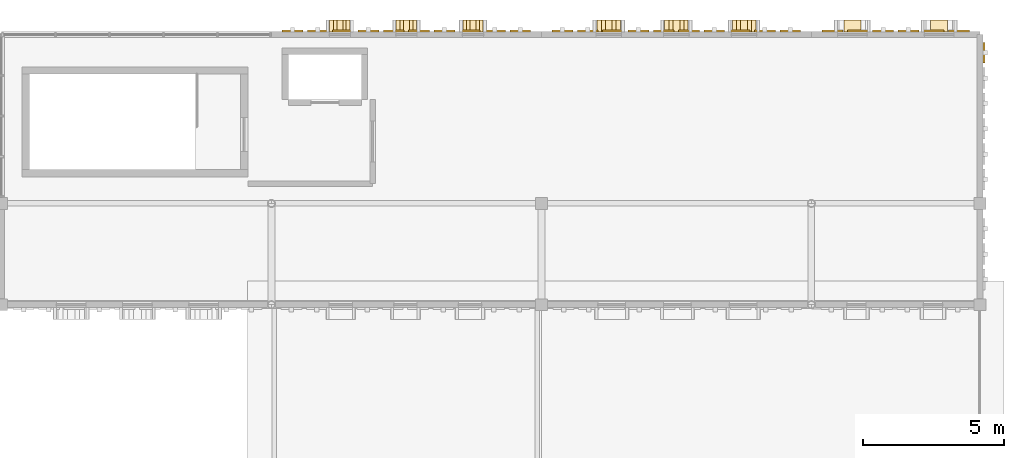
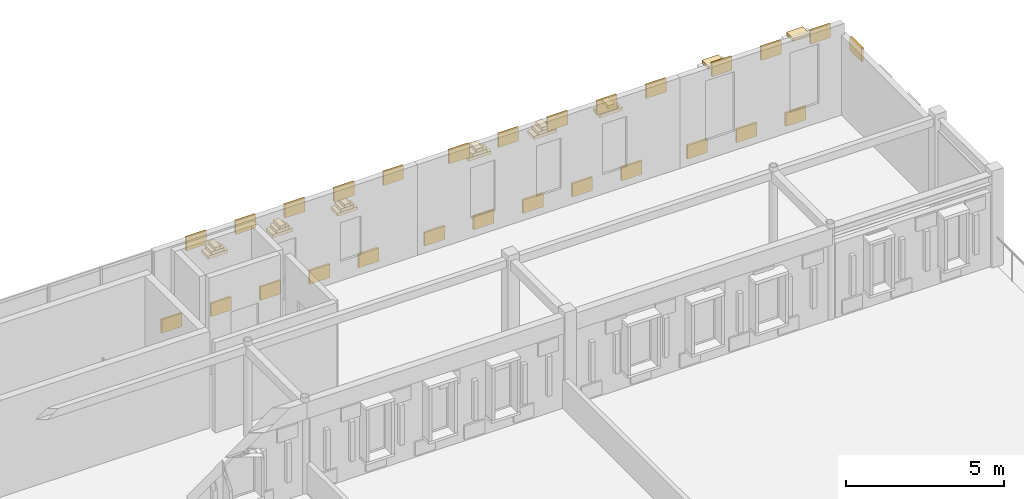
# One storey, part 25 of 25: 47 coverings.
"""IFC4 building model written with IfcOpenShell, lengths in metres."""

from ifc_helpers import new_model, si_unit, direction, frame, origin, origin_2d, place, context, subcontext, project, spatial, rectangle, extrude, material, layer, layer_set, type_object, element, save


model = new_model("IFC4")

# Units and contexts
model_context = context("Model", 3, precision=1e-05, world=origin(), true_north=direction((0.0, 1.0)))
body_context = subcontext(model_context, "Body", "Model", "MODEL_VIEW")
ifc_project = project(units=[si_unit("LENGTHUNIT", "METRE"), si_unit("AREAUNIT", "SQUARE_METRE"), si_unit("VOLUMEUNIT", "CUBIC_METRE"), si_unit("PLANEANGLEUNIT", "RADIAN"), si_unit("MASSUNIT", "GRAM", prefix="KILO")], contexts=[model_context])

# Site, building, storey
site_placement = place(None, origin())
site = spatial("IfcSite", under=ifc_project, at=site_placement, CompositionType="ELEMENT")
building_placement = place(site_placement, origin())
building = spatial("IfcBuilding", under=site, at=building_placement, Name="Nzembalo Square Collegiate School", CompositionType="ELEMENT")
storey_placement = place(building_placement, frame((0.0, 0.0, 21.080078125)))
storey = spatial("IfcBuildingStorey", under=building, at=storey_placement, Name="L05", CompositionType="ELEMENT", Elevation=21.080078125)

# Coverings
ifc_material_1 = material(Name="Glazed cobalt ceramic patterned tile")
ifc_layer_1 = layer(ifc_material_1, 0.074951171875, Name="Glazed cobalt ceramic patterned tile")
ifc_layer_set_1 = layer_set([ifc_layer_1], Name="Glazed cobalt ceramic patterned tile")
covering_type_1 = type_object("IfcCoveringType", Name="CL01", PredefinedType="CLADDING", material=ifc_layer_set_1)
for number, where, z_axis, x_axis, name in (
    (1, (141.14990234375, 88.93505859375, 0.099853515625), (0.0, 0.0, 1.0), (1.0, 0.0, 0.0), "Patterned ceramic tile CL01-X0296-0-0"),
    (2, (142.050048828125, 88.93505859375, 2.9638671875), (0.0, 0.0, 1.0), (1.0, 0.0, 0.0), "Patterned ceramic tile CL01-X0296-1-1"),
    (3, (142.949951171875, 88.93505859375, 0.099853515625), (0.0, 0.0, 1.0), (1.0, 0.0, 0.0), "Patterned ceramic tile CL01-X0296-2-0"),
    (4, (143.85009765625, 88.93505859375, 2.9638671875), (0.0, 0.0, 1.0), (1.0, 0.0, 0.0), "Patterned ceramic tile CL01-X0296-3-1"),
    (5, (144.75, 88.93505859375, 0.099853515625), (0.0, 0.0, 1.0), (1.0, 0.0, 0.0), "Patterned ceramic tile CL01-X0296-4-0"),
    (6, (145.64990234375, 88.93505859375, 2.9638671875), (0.0, 0.0, 1.0), (1.0, 0.0, 0.0), "Patterned ceramic tile CL01-X0296-5-1"),
    (7, (146.550048828125, 88.93505859375, 0.099853515625), (0.0, 0.0, 1.0), (1.0, 0.0, 0.0), "Patterned ceramic tile CL01-X0296-6-0"),
    (8, (147.449951171875, 88.93505859375, 2.9638671875), (0.0, 0.0, 1.0), (1.0, 0.0, 0.0), "Patterned ceramic tile CL01-X0296-7-1"),
    (9, (148.35009765625, 88.93505859375, 0.099853515625), (0.0, 0.0, 1.0), (1.0, 0.0, 0.0), "Patterned ceramic tile CL01-X0296-8-0"),
    (10, (149.25, 88.93505859375, 2.9638671875), (0.0, 0.0, 1.0), (1.0, 0.0, 0.0), "Patterned ceramic tile CL01-X0296-9-1"),
    (11, (150.75, 88.93505859375, 0.099853515625), (0.0, 0.0, 1.0), (1.0, 0.0, 0.0), "Patterned ceramic tile CL01-X0297-0-0"),
    (12, (151.64990234375, 88.93505859375, 2.9638671875), (0.0, 0.0, 1.0), (1.0, 0.0, 0.0), "Patterned ceramic tile CL01-X0297-1-1"),
    (13, (152.550048828125, 88.93505859375, 0.099853515625), (0.0, 0.0, 1.0), (1.0, 0.0, 0.0), "Patterned ceramic tile CL01-X0297-2-0"),
    (14, (153.449951171875, 88.93505859375, 2.9638671875), (0.0, 0.0, 1.0), (1.0, 0.0, 0.0), "Patterned ceramic tile CL01-X0297-3-1"),
    (15, (154.35009765625, 88.93505859375, 0.099853515625), (0.0, 0.0, 1.0), (1.0, 0.0, 0.0), "Patterned ceramic tile CL01-X0297-4-0"),
    (16, (155.25, 88.93505859375, 2.9638671875), (0.0, 0.0, 1.0), (1.0, 0.0, 0.0), "Patterned ceramic tile CL01-X0297-5-1"),
    (17, (156.14990234375, 88.93505859375, 0.099853515625), (0.0, 0.0, 1.0), (1.0, 0.0, 0.0), "Patterned ceramic tile CL01-X0297-6-0"),
    (18, (157.050048828125, 88.93505859375, 2.9638671875), (0.0, 0.0, 1.0), (1.0, 0.0, 0.0), "Patterned ceramic tile CL01-X0297-7-1"),
    (19, (157.949951171875, 88.93505859375, 0.099853515625), (0.0, 0.0, 1.0), (1.0, 0.0, 0.0), "Patterned ceramic tile CL01-X0297-8-0"),
    (20, (158.85009765625, 88.93505859375, 2.9638671875), (0.0, 0.0, 1.0), (1.0, 0.0, 0.0), "Patterned ceramic tile CL01-X0297-9-1"),
    (21, (160.35009765625, 88.93505859375, 0.099853515625), (0.0, 0.0, 1.0), (1.0, 0.0, 0.0), "Patterned ceramic tile CL01-X0298-0-0"),
    (22, (161.25, 88.93505859375, 2.9638671875), (0.0, 0.0, 1.0), (1.0, 0.0, 0.0), "Patterned ceramic tile CL01-X0298-1-1"),
    (23, (162.14990234375, 88.93505859375, 0.099853515625), (0.0, 0.0, 1.0), (1.0, 0.0, 0.0), "Patterned ceramic tile CL01-X0298-2-0"),
    (24, (163.050048828125, 88.93505859375, 2.9638671875), (0.0, 0.0, 1.0), (1.0, 0.0, 0.0), "Patterned ceramic tile CL01-X0298-3-1"),
    (25, (163.949951171875, 88.93505859375, 0.099853515625), (0.0, 0.0, 1.0), (1.0, 0.0, 0.0), "Patterned ceramic tile CL01-X0298-4-0"),
    (26, (164.85009765625, 88.93505859375, 2.9638671875), (0.0, 0.0, 1.0), (1.0, 0.0, 0.0), "Patterned ceramic tile CL01-X0298-5-1"),
):
    element("IfcCovering", number, at=place(storey_placement, frame(where, z_axis=z_axis, x_axis=x_axis)), inside=storey, type_object=covering_type_1, Name=name, PredefinedType="CLADDING", context=body_context, shape_type="SweptSolid", body=[
        extrude(rectangle(XDim=0.739990234375, YDim=0.074951171875, at=origin_2d()), origin(), (0.0, 0.0, 1.0), 0.52001953125),
    ])
covering_1_placement = place(storey_placement, frame((165.735107421875, 88.156005859375, 2.533935546875), z_axis=(0.0, 0.0, 1.0), x_axis=(1.0, 0.0, 0.0)))
element("IfcCovering", 27, at=covering_1_placement, inside=storey, type_object=covering_type_1, Name="Patterned ceramic tile CL01-Y0300-5-1", PredefinedType="CLADDING", context=body_context, shape_type="SweptSolid", body=[
    extrude(rectangle(XDim=0.074951171875, YDim=0.739990234375, at=origin_2d()), origin(), (0.0, 0.0, 1.0), 0.52001953125),
])
ifc_material_2 = material(Name="Glazed celadon ceramic window frame")
ifc_layer_2 = layer(ifc_material_2, 0.419921875, Name="Glazed celadon ceramic window frame")
ifc_layer_set_2 = layer_set([ifc_layer_2], Name="Glazed celadon ceramic window frame")
covering_type_2 = type_object("IfcCoveringType", Name="WF01", PredefinedType="CLADDING", material=ifc_layer_set_2)
covering_2_placement = place(storey_placement, frame((142.83251953125, 89.112548828125, 2.35986328125), z_axis=(0.0, 0.0, 1.0), x_axis=(1.0, 0.0, 0.0)))
element("IfcCovering", 28, at=covering_2_placement, inside=storey, type_object=covering_type_2, Name="Pointed lancet gable WF01-1114-1", PredefinedType="CLADDING", context=body_context, shape_type="SweptSolid", body=[
    extrude(rectangle(XDim=0.721923828125, YDim=0.419921875, at=origin_2d()), origin(), (0.0, 0.0, 1.0), 0.1201171875),
])
covering_3_placement = place(storey_placement, frame((142.83251953125, 89.112548828125, 2.47998046875), z_axis=(0.0, 0.0, 1.0), x_axis=(1.0, 0.0, 0.0)))
element("IfcCovering", 29, at=covering_3_placement, inside=storey, type_object=covering_type_2, Name="Pointed lancet gable WF01-1114-2", PredefinedType="CLADDING", context=body_context, shape_type="SweptSolid", body=[
    extrude(rectangle(XDim=0.4560546875, YDim=0.419921875, at=origin_2d()), origin(), (0.0, 0.0, 1.0), 0.1201171875),
])
covering_4_placement = place(storey_placement, frame((142.83251953125, 89.112548828125, 2.599853515625), z_axis=(0.0, 0.0, 1.0), x_axis=(1.0, 0.0, 0.0)))
element("IfcCovering", 30, at=covering_4_placement, inside=storey, type_object=covering_type_2, Name="Pointed lancet gable WF01-1114-3", PredefinedType="CLADDING", context=body_context, shape_type="SweptSolid", body=[
    extrude(rectangle(XDim=0.208984375, YDim=0.419921875, at=origin_2d()), origin(), (0.0, 0.0, 1.0), 0.1201171875),
])
covering_5_placement = place(storey_placement, frame((145.199951171875, 89.112548828125, 2.35986328125), z_axis=(0.0, 0.0, 1.0), x_axis=(1.0, 0.0, 0.0)))
element("IfcCovering", 31, at=covering_5_placement, inside=storey, type_object=covering_type_2, Name="Pointed lancet gable WF01-1115-1", PredefinedType="CLADDING", context=body_context, shape_type="SweptSolid", body=[
    extrude(rectangle(XDim=0.721923828125, YDim=0.419921875, at=origin_2d()), origin(), (0.0, 0.0, 1.0), 0.1201171875),
])
covering_6_placement = place(storey_placement, frame((145.199951171875, 89.112548828125, 2.47998046875), z_axis=(0.0, 0.0, 1.0), x_axis=(1.0, 0.0, 0.0)))
element("IfcCovering", 32, at=covering_6_placement, inside=storey, type_object=covering_type_2, Name="Pointed lancet gable WF01-1115-2", PredefinedType="CLADDING", context=body_context, shape_type="SweptSolid", body=[
    extrude(rectangle(XDim=0.4560546875, YDim=0.419921875, at=origin_2d()), origin(), (0.0, 0.0, 1.0), 0.1201171875),
])
covering_7_placement = place(storey_placement, frame((145.199951171875, 89.112548828125, 2.599853515625), z_axis=(0.0, 0.0, 1.0), x_axis=(1.0, 0.0, 0.0)))
element("IfcCovering", 33, at=covering_7_placement, inside=storey, type_object=covering_type_2, Name="Pointed lancet gable WF01-1115-3", PredefinedType="CLADDING", context=body_context, shape_type="SweptSolid", body=[
    extrude(rectangle(XDim=0.208984375, YDim=0.419921875, at=origin_2d()), origin(), (0.0, 0.0, 1.0), 0.1201171875),
])
covering_8_placement = place(storey_placement, frame((147.5673828125, 89.112548828125, 2.35986328125), z_axis=(0.0, 0.0, 1.0), x_axis=(1.0, 0.0, 0.0)))
element("IfcCovering", 34, at=covering_8_placement, inside=storey, type_object=covering_type_2, Name="Pointed lancet gable WF01-1116-1", PredefinedType="CLADDING", context=body_context, shape_type="SweptSolid", body=[
    extrude(rectangle(XDim=0.721923828125, YDim=0.419921875, at=origin_2d()), origin(), (0.0, 0.0, 1.0), 0.1201171875),
])
covering_9_placement = place(storey_placement, frame((147.5673828125, 89.112548828125, 2.47998046875), z_axis=(0.0, 0.0, 1.0), x_axis=(1.0, 0.0, 0.0)))
element("IfcCovering", 35, at=covering_9_placement, inside=storey, type_object=covering_type_2, Name="Pointed lancet gable WF01-1116-2", PredefinedType="CLADDING", context=body_context, shape_type="SweptSolid", body=[
    extrude(rectangle(XDim=0.4560546875, YDim=0.419921875, at=origin_2d()), origin(), (0.0, 0.0, 1.0), 0.1201171875),
])
covering_10_placement = place(storey_placement, frame((147.5673828125, 89.112548828125, 2.599853515625), z_axis=(0.0, 0.0, 1.0), x_axis=(1.0, 0.0, 0.0)))
element("IfcCovering", 36, at=covering_10_placement, inside=storey, type_object=covering_type_2, Name="Pointed lancet gable WF01-1116-3", PredefinedType="CLADDING", context=body_context, shape_type="SweptSolid", body=[
    extrude(rectangle(XDim=0.208984375, YDim=0.419921875, at=origin_2d()), origin(), (0.0, 0.0, 1.0), 0.1201171875),
])
covering_11_placement = place(storey_placement, frame((152.39501953125, 89.112548828125, 2.809814453125), z_axis=(0.0, 0.0, 1.0), x_axis=(1.0, 0.0, 0.0)))
element("IfcCovering", 37, at=covering_11_placement, inside=storey, type_object=covering_type_2, Name="Pointed lancet gable WF01-1117-1", PredefinedType="CLADDING", context=body_context, shape_type="SweptSolid", body=[
    extrude(rectangle(XDim=0.8359375, YDim=0.419921875, at=origin_2d()), origin(), (0.0, 0.0, 1.0), 0.1201171875),
])
covering_12_placement = place(storey_placement, frame((152.39501953125, 89.112548828125, 2.929931640625), z_axis=(0.0, 0.0, 1.0), x_axis=(1.0, 0.0, 0.0)))
element("IfcCovering", 38, at=covering_12_placement, inside=storey, type_object=covering_type_2, Name="Pointed lancet gable WF01-1117-2", PredefinedType="CLADDING", context=body_context, shape_type="SweptSolid", body=[
    extrude(rectangle(XDim=0.528076171875, YDim=0.419921875, at=origin_2d()), origin(), (0.0, 0.0, 1.0), 0.1201171875),
])
covering_13_placement = place(storey_placement, frame((152.39501953125, 89.112548828125, 3.0498046875), z_axis=(0.0, 0.0, 1.0), x_axis=(1.0, 0.0, 0.0)))
element("IfcCovering", 39, at=covering_13_placement, inside=storey, type_object=covering_type_2, Name="Pointed lancet gable WF01-1117-3", PredefinedType="CLADDING", context=body_context, shape_type="SweptSolid", body=[
    extrude(rectangle(XDim=0.241943359375, YDim=0.419921875, at=origin_2d()), origin(), (0.0, 0.0, 1.0), 0.1201171875),
])
covering_14_placement = place(storey_placement, frame((154.800048828125, 89.112548828125, 2.809814453125), z_axis=(0.0, 0.0, 1.0), x_axis=(1.0, 0.0, 0.0)))
element("IfcCovering", 40, at=covering_14_placement, inside=storey, type_object=covering_type_2, Name="Pointed lancet gable WF01-1118-1", PredefinedType="CLADDING", context=body_context, shape_type="SweptSolid", body=[
    extrude(rectangle(XDim=0.8359375, YDim=0.419921875, at=origin_2d()), origin(), (0.0, 0.0, 1.0), 0.1201171875),
])
covering_15_placement = place(storey_placement, frame((154.800048828125, 89.112548828125, 2.929931640625), z_axis=(0.0, 0.0, 1.0), x_axis=(1.0, 0.0, 0.0)))
element("IfcCovering", 41, at=covering_15_placement, inside=storey, type_object=covering_type_2, Name="Pointed lancet gable WF01-1118-2", PredefinedType="CLADDING", context=body_context, shape_type="SweptSolid", body=[
    extrude(rectangle(XDim=0.528076171875, YDim=0.419921875, at=origin_2d()), origin(), (0.0, 0.0, 1.0), 0.1201171875),
])
covering_16_placement = place(storey_placement, frame((154.800048828125, 89.112548828125, 3.0498046875), z_axis=(0.0, 0.0, 1.0), x_axis=(1.0, 0.0, 0.0)))
element("IfcCovering", 42, at=covering_16_placement, inside=storey, type_object=covering_type_2, Name="Pointed lancet gable WF01-1118-3", PredefinedType="CLADDING", context=body_context, shape_type="SweptSolid", body=[
    extrude(rectangle(XDim=0.241943359375, YDim=0.419921875, at=origin_2d()), origin(), (0.0, 0.0, 1.0), 0.1201171875),
])
covering_17_placement = place(storey_placement, frame((157.205078125, 89.112548828125, 2.809814453125), z_axis=(0.0, 0.0, 1.0), x_axis=(1.0, 0.0, 0.0)))
element("IfcCovering", 43, at=covering_17_placement, inside=storey, type_object=covering_type_2, Name="Pointed lancet gable WF01-1119-1", PredefinedType="CLADDING", context=body_context, shape_type="SweptSolid", body=[
    extrude(rectangle(XDim=0.8359375, YDim=0.419921875, at=origin_2d()), origin(), (0.0, 0.0, 1.0), 0.1201171875),
])
covering_18_placement = place(storey_placement, frame((157.205078125, 89.112548828125, 2.929931640625), z_axis=(0.0, 0.0, 1.0), x_axis=(1.0, 0.0, 0.0)))
element("IfcCovering", 44, at=covering_18_placement, inside=storey, type_object=covering_type_2, Name="Pointed lancet gable WF01-1119-2", PredefinedType="CLADDING", context=body_context, shape_type="SweptSolid", body=[
    extrude(rectangle(XDim=0.528076171875, YDim=0.419921875, at=origin_2d()), origin(), (0.0, 0.0, 1.0), 0.1201171875),
])
covering_19_placement = place(storey_placement, frame((157.205078125, 89.112548828125, 3.0498046875), z_axis=(0.0, 0.0, 1.0), x_axis=(1.0, 0.0, 0.0)))
element("IfcCovering", 45, at=covering_19_placement, inside=storey, type_object=covering_type_2, Name="Pointed lancet gable WF01-1119-3", PredefinedType="CLADDING", context=body_context, shape_type="SweptSolid", body=[
    extrude(rectangle(XDim=0.241943359375, YDim=0.419921875, at=origin_2d()), origin(), (0.0, 0.0, 1.0), 0.1201171875),
])
for number, where, z_axis, x_axis, name in (
    (46, (161.0576171875, 89.112548828125, 3.27978515625), (0.0, 0.0, 1.0), (1.0, 0.0, 0.0), "Pointed lancet gable WF01-1120-2"),
    (47, (164.142578125, 89.112548828125, 3.27978515625), (0.0, 0.0, 1.0), (1.0, 0.0, 0.0), "Pointed lancet gable WF01-1121-2"),
):
    element("IfcCovering", number, at=place(storey_placement, frame(where, z_axis=z_axis, x_axis=x_axis)), inside=storey, type_object=covering_type_2, Name=name, PredefinedType="CLADDING", context=body_context, shape_type="SweptSolid", body=[
        extrude(rectangle(XDim=0.60009765625, YDim=0.419921875, at=origin_2d()), origin(), (0.0, 0.0, 1.0), 0.1201171875),
    ])

save(model, "model.ifc")
